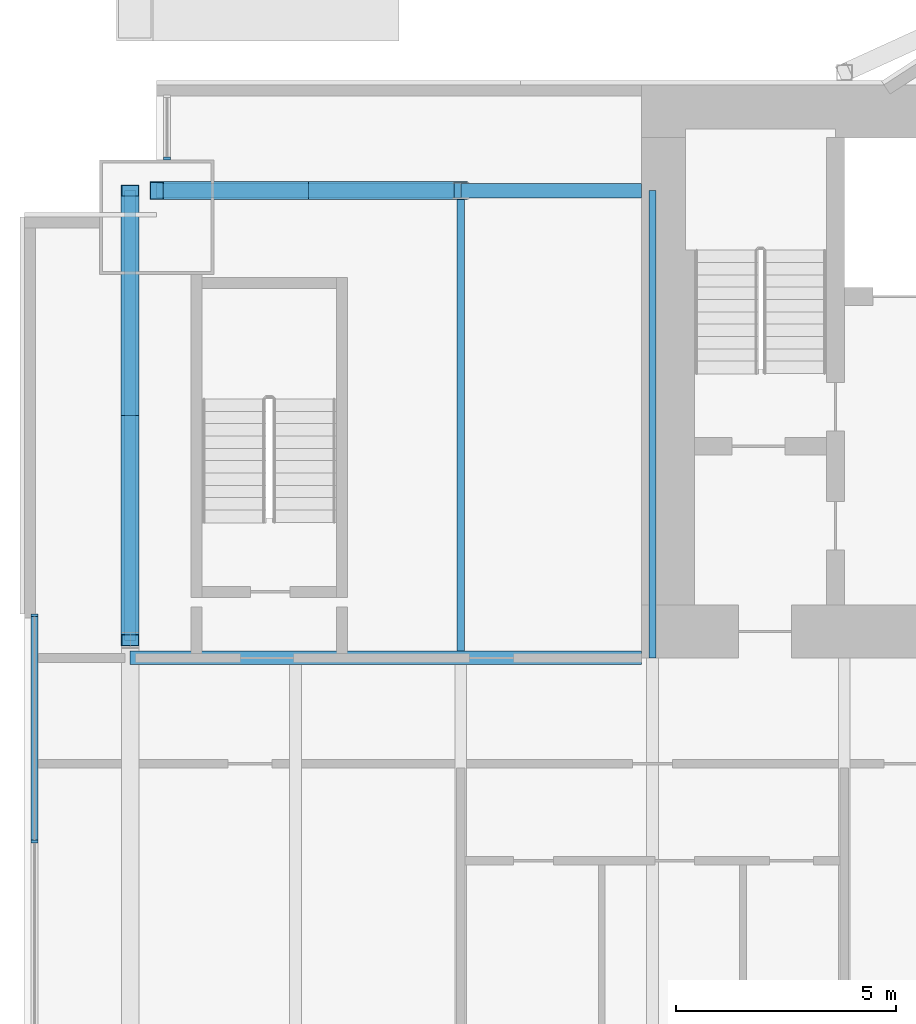
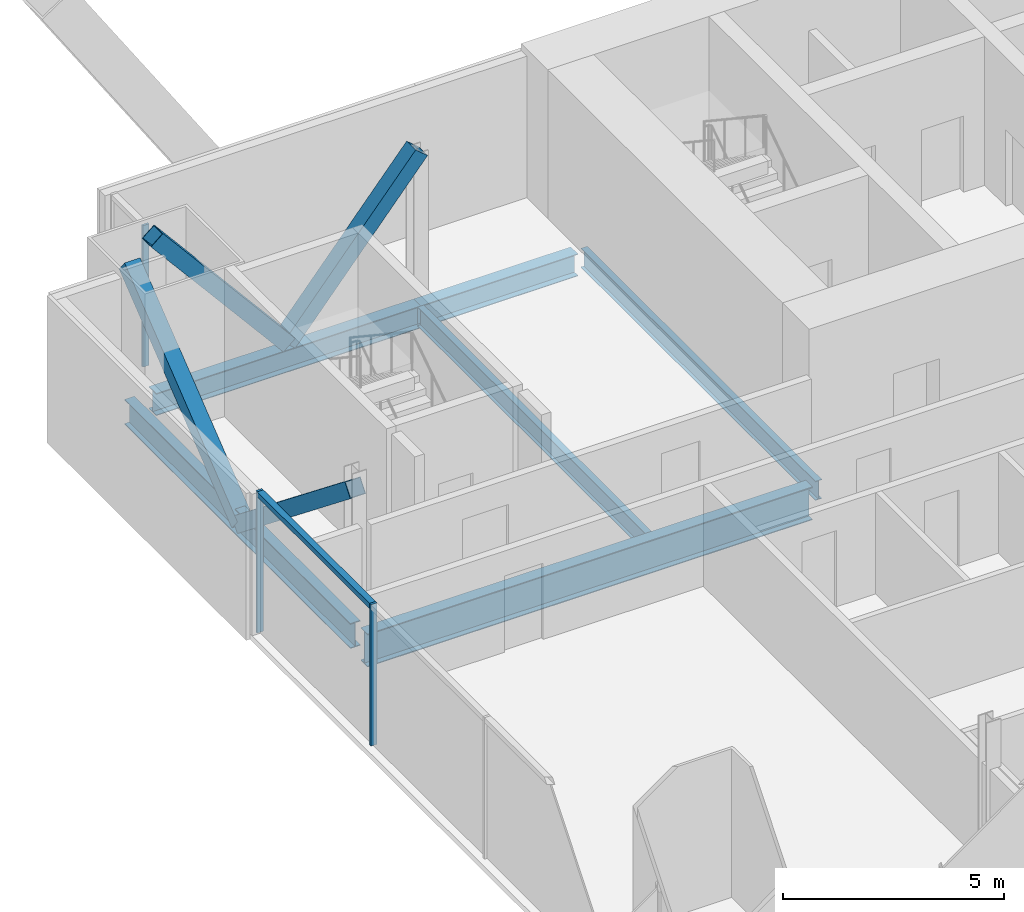
# One storey, part 7 of 20: 8 members, 6 beams, 2 elements without a shape of their own.
"""IFC4 building model written with IfcOpenShell, lengths in metres."""

from ifc_helpers import new_model, si_unit, direction, frame, origin, origin_2d, place, context, subcontext, project, spatial, rectangle, hollow_rectangle, i_section, extrude, material, material_profile, profile_set, type_object, element, aggregate, save


model = new_model("IFC4")

# Units and contexts
model_context = context("Model", 3, precision=1e-05, world=origin(), true_north=direction((0.0, 1.0)))
body_context = subcontext(model_context, "Body", "Model", "MODEL_VIEW")
ifc_project = project(units=[si_unit("LENGTHUNIT", "METRE"), si_unit("AREAUNIT", "SQUARE_METRE"), si_unit("VOLUMEUNIT", "CUBIC_METRE"), si_unit("PLANEANGLEUNIT", "RADIAN"), si_unit("MASSUNIT", "GRAM", prefix="KILO")], contexts=[model_context])

# Site, building, storey
site_placement = place(None, origin())
site = spatial("IfcSite", under=ifc_project, at=site_placement, CompositionType="ELEMENT")
building_placement = place(site_placement, origin())
building = spatial("IfcBuilding", under=site, at=building_placement, Name="Bicima Exchange Tower", CompositionType="ELEMENT")
storey_placement = place(building_placement, frame((0.0, 0.0, 231.89990234375)))
storey = spatial("IfcBuildingStorey", under=building, at=storey_placement, Name="L52", CompositionType="ELEMENT", Elevation=231.89990234375)

# Beam
ifc_material_1 = material(Name="Steel ASTM A992 Gr 50", Category="steel")
ifc_material_profile_1 = material_profile(ifc_material_1, i_section(OverallWidth=0.3046875, OverallDepth=0.911865234375, WebThickness=0.015869140625, FlangeThickness=0.02392578125, at=origin_2d()))
ifc_profile_set_1 = profile_set([ifc_material_profile_1], Name="Steel ASTM A992 Gr 50")
beam_type_1 = type_object("IfcBeamType", Name="Core-line girder W36x150", PredefinedType="BEAM", material=ifc_profile_set_1)
beam_1_placement = place(storey_placement, frame((-22.0, -13.0, -0.605712890625), z_axis=(-1.0, 0.0, 0.0), x_axis=(0.0, -1.0, 0.0)))
element("IfcBeam", 1, at=beam_1_placement, inside=storey, type_object=beam_type_1, Name="Core-line girder", PredefinedType="BEAM", context=body_context, shape_type="SweptSolid", body=[
    extrude(i_section(OverallWidth=0.3046875, OverallDepth=0.911865234375, WebThickness=0.015869140625, FlangeThickness=0.02392578125, at=origin_2d()), origin(), (0.0, 0.0, 1.0), 11.60009765625),
])

# Curtain wall, members
ifc_material_2 = material(Name="Anodised bronze aluminium", Category="aluminium")
curtain_wall_type_1 = type_object("IfcCurtainWallType", Name="End face glass wall", PredefinedType="NOTDEFINED", material=ifc_material_2)
curtain_wall_1_placement = place(storey_placement, origin())
curtain_wall_1 = element("IfcCurtainWall", 2, at=curtain_wall_1_placement, inside=storey, type_object=curtain_wall_type_1, Name="End face glass wall L52 run 2", PredefinedType="NOTDEFINED")
ifc_material_profile_2 = material_profile(ifc_material_2, rectangle(XDim=0.159912109375, YDim=0.06005859375, at=origin_2d()))
ifc_profile_set_2 = profile_set([ifc_material_profile_2], Name="Anodised bronze aluminium")
member_type_1 = type_object("IfcMemberType", Name="End face glass wall mullion 60 x 160", PredefinedType="MULLION", material=ifc_profile_set_2)
member_1_placement = place(storey_placement, frame((-35.77001953125, -12.030029296875, 0.0), z_axis=(0.0, 0.0, 1.0), x_axis=(1.0, 0.0, 0.0)))
member_1 = element("IfcMember", 3, at=member_1_placement, type_object=member_type_1, Name="End face glass wall mullion 1", PredefinedType="MULLION", context=body_context, shape_type="SweptSolid", body=[
    extrude(rectangle(XDim=0.159912109375, YDim=0.06005859375, at=origin_2d()), origin(), (0.0, 0.0, 1.0), 3.900146484375),
])
member_2_placement = place(storey_placement, frame((-35.77001953125, -17.165283203125, 0.0), z_axis=(0.0, 0.0, 1.0), x_axis=(1.0, 0.0, 0.0)))
member_2 = element("IfcMember", 4, at=member_2_placement, type_object=member_type_1, Name="End face glass wall mullion 2", PredefinedType="MULLION", context=body_context, shape_type="SweptSolid", body=[
    extrude(rectangle(XDim=0.159912109375, YDim=0.06005859375, at=origin_2d()), origin(), (0.0, 0.0, 1.0), 3.900146484375),
])
ifc_material_profile_3 = material_profile(ifc_material_2, rectangle(XDim=0.159912109375, YDim=0.139892578125, at=origin_2d()))
ifc_profile_set_3 = profile_set([ifc_material_profile_3], Name="Anodised bronze aluminium")
member_type_2 = type_object("IfcMemberType", Name="End face glass wall transom 140 x 160", PredefinedType="USERDEFINED", material=ifc_profile_set_3)
member_3_placement = place(storey_placement, frame((-35.77001953125, -12.06005859375, 3.830078125), z_axis=(0.0, -1.0, 0.0), x_axis=(1.0, 0.0, 0.0)))
member_3 = element("IfcMember", 5, at=member_3_placement, type_object=member_type_2, Name="End face glass wall transom 1.1", ObjectType="TRANSOM", PredefinedType="USERDEFINED", context=body_context, shape_type="SweptSolid", body=[
    extrude(rectangle(XDim=0.159912109375, YDim=0.139892578125, at=origin_2d()), origin(), (0.0, 0.0, 1.0), 5.0751953125),
])
aggregate(curtain_wall_1, [member_1, member_2, member_3])

# Beams
ifc_material_profile_4 = material_profile(ifc_material_1, i_section(OverallWidth=0.256591796875, OverallDepth=0.693359375, WebThickness=0.014404296875, FlangeThickness=0.023681640625, at=origin_2d()))
ifc_profile_set_4 = profile_set([ifc_material_profile_4], Name="Steel ASTM A992 Gr 50")
beam_type_2 = type_object("IfcBeamType", Name="End girder W27x114", PredefinedType="BEAM", material=ifc_profile_set_4)
beam_2_placement = place(storey_placement, frame((-33.60009765625, -2.39990234375, -0.49658203125), z_axis=(0.0, -1.0, 0.0), x_axis=(1.0, 0.0, 0.0)))
element("IfcBeam", 6, at=beam_2_placement, inside=storey, type_object=beam_type_2, Name="End girder", PredefinedType="BEAM", context=body_context, shape_type="SweptSolid", body=[
    extrude(i_section(OverallWidth=0.256591796875, OverallDepth=0.693359375, WebThickness=0.014404296875, FlangeThickness=0.023681640625, at=origin_2d()), origin(), (0.0, 0.0, 1.0), 10.2001953125),
])
ifc_material_profile_5 = material_profile(ifc_material_1, i_section(OverallWidth=0.165771484375, OverallDepth=0.5283203125, WebThickness=0.009765625, FlangeThickness=0.013671875, at=origin_2d()))
ifc_profile_set_5 = profile_set([ifc_material_profile_5], Name="Steel ASTM A992 Gr 50")
beam_type_3 = type_object("IfcBeamType", Name="Floor beam W21x50", PredefinedType="JOIST", material=ifc_profile_set_5)
beam_3_placement = place(storey_placement, frame((-26.10009765625, -2.5625, -0.4140625), z_axis=(0.0, -1.0, 0.0), x_axis=(1.0, 0.0, 0.0)))
element("IfcBeam", 7, at=beam_3_placement, inside=storey, type_object=beam_type_3, Name="Floor beam", PredefinedType="JOIST", context=body_context, shape_type="SweptSolid", body=[
    extrude(i_section(OverallWidth=0.165771484375, OverallDepth=0.5283203125, WebThickness=0.009765625, FlangeThickness=0.013671875, at=origin_2d()), origin(), (0.0, 0.0, 1.0), 10.28515625),
])
beam_4_placement = place(storey_placement, frame((-21.75, -2.39990234375, -0.4140625), z_axis=(0.0, -1.0, 0.0), x_axis=(1.0, 0.0, 0.0)))
element("IfcBeam", 8, at=beam_4_placement, inside=storey, type_object=beam_type_3, Name="Floor beam", PredefinedType="JOIST", context=body_context, shape_type="SweptSolid", body=[
    extrude(i_section(OverallWidth=0.165771484375, OverallDepth=0.5283203125, WebThickness=0.009765625, FlangeThickness=0.013671875, at=origin_2d()), origin(), (0.0, 0.0, 1.0), 10.60009765625),
])

# Curtain wall, member
curtain_wall_type_2 = type_object("IfcCurtainWallType", Name="Front glass wall", PredefinedType="NOTDEFINED", material=ifc_material_2)
curtain_wall_2_placement = place(storey_placement, origin())
curtain_wall_2 = element("IfcCurtainWall", 9, at=curtain_wall_2_placement, inside=storey, type_object=curtain_wall_type_2, Name="Front glass wall L52 run 1", PredefinedType="NOTDEFINED")
member_type_3 = type_object("IfcMemberType", Name="Front glass wall mullion 60 x 160", PredefinedType="MULLION", material=ifc_profile_set_2)
member_4_placement = place(storey_placement, frame((-32.77001953125, -1.669921875, 0.0), z_axis=(0.0, 0.0, 1.0), x_axis=(1.0, 0.0, 0.0)))
member_4 = element("IfcMember", 10, at=member_4_placement, type_object=member_type_3, Name="Front glass wall mullion 2", PredefinedType="MULLION", context=body_context, shape_type="SweptSolid", body=[
    extrude(rectangle(XDim=0.159912109375, YDim=0.06005859375, at=origin_2d()), origin(), (0.0, 0.0, 1.0), 3.900146484375),
])
aggregate(curtain_wall_2, [member_4])

# Members
ifc_material_3 = material(Name="Steel ASTM A572 Gr 50", Category="steel")
ifc_material_profile_6 = material_profile(ifc_material_3, hollow_rectangle(XDim=0.406494140625, YDim=0.406494140625, WallThickness=0.0146484375, at=origin_2d()))
ifc_profile_set_6 = profile_set([ifc_material_profile_6], Name="Steel ASTM A572 Gr 50")
member_type_4 = type_object("IfcMemberType", Name="Mega brace HSS16x16x5/8", PredefinedType="BRACE", material=ifc_profile_set_6)
for number, where, z_axis, x_axis, name in (
    (11, (-29.550048828125, -2.39990234375, 0.0), (0.643834042494, 0.0, 0.765165162384), (0.0, 1.0, 0.0), "Mega brace rear"),
    (12, (-29.550048828125, -2.39990234375, 0.0), (-0.643834042494, 0.0, 0.765165162384), (0.0, -1.0, 0.0), "Mega brace rear"),
):
    element("IfcMember", number, at=place(storey_placement, frame(where, z_axis=z_axis, x_axis=x_axis)), inside=storey, type_object=member_type_4, Name=name, PredefinedType="BRACE", context=body_context, shape_type="SweptSolid", body=[
        extrude(hollow_rectangle(XDim=0.406494140625, YDim=0.406494140625, WallThickness=0.0146484375, at=origin_2d()), origin(), (0.0, 0.0, 1.0), 5.3583984375),
    ])
for number, where, z_axis, x_axis, name in (
    (13, (-33.60009765625, -7.5, -0.49658203125), (0.0, -0.783112995316, 0.621879438932), (1.0, 0.0, 0.0), "Mega brace west end"),
    (14, (-33.60009765625, -7.5, -0.49658203125), (0.0, 0.783112995316, 0.621879438932), (-1.0, 0.0, 0.0), "Mega brace west end"),
):
    element("IfcMember", number, at=place(storey_placement, frame(where, z_axis=z_axis, x_axis=x_axis)), inside=storey, type_object=member_type_4, Name=name, PredefinedType="BRACE", context=body_context, shape_type="SweptSolid", body=[
        extrude(hollow_rectangle(XDim=0.406494140625, YDim=0.406494140625, WallThickness=0.0146484375, at=origin_2d()), origin(), (0.0, 0.0, 1.0), 6.5126953125),
    ])

# Beams
ifc_material_profile_7 = material_profile(ifc_material_1, i_section(OverallWidth=0.3251953125, OverallDepth=0.612060546875, WebThickness=0.0126953125, FlangeThickness=0.01904296875, at=origin_2d()))
ifc_profile_set_7 = profile_set([ifc_material_profile_7], Name="Steel ASTM A992 Gr 50")
beam_type_4 = type_object("IfcBeamType", Name="Rear girder W24x104", PredefinedType="BEAM", material=ifc_profile_set_7)
beam_5_placement = place(storey_placement, frame((-22.0, -2.39990234375, -0.4560546875), z_axis=(-1.0, 0.0, 0.0), x_axis=(0.0, -1.0, 0.0)))
element("IfcBeam", 15, at=beam_5_placement, inside=storey, type_object=beam_type_4, Name="Rear girder", PredefinedType="BEAM", context=body_context, shape_type="SweptSolid", body=[
    extrude(i_section(OverallWidth=0.3251953125, OverallDepth=0.612060546875, WebThickness=0.0126953125, FlangeThickness=0.01904296875, at=origin_2d()), origin(), (0.0, 0.0, 1.0), 4.10009765625),
])
beam_6_placement = place(storey_placement, frame((-26.10009765625, -2.39990234375, -0.4560546875), z_axis=(-1.0, 0.0, 0.0), x_axis=(0.0, -1.0, 0.0)))
element("IfcBeam", 16, at=beam_6_placement, inside=storey, type_object=beam_type_4, Name="Rear girder", PredefinedType="BEAM", context=body_context, shape_type="SweptSolid", body=[
    extrude(i_section(OverallWidth=0.3251953125, OverallDepth=0.612060546875, WebThickness=0.0126953125, FlangeThickness=0.01904296875, at=origin_2d()), origin(), (0.0, 0.0, 1.0), 6.89990234375),
])

save(model, "model.ifc")
